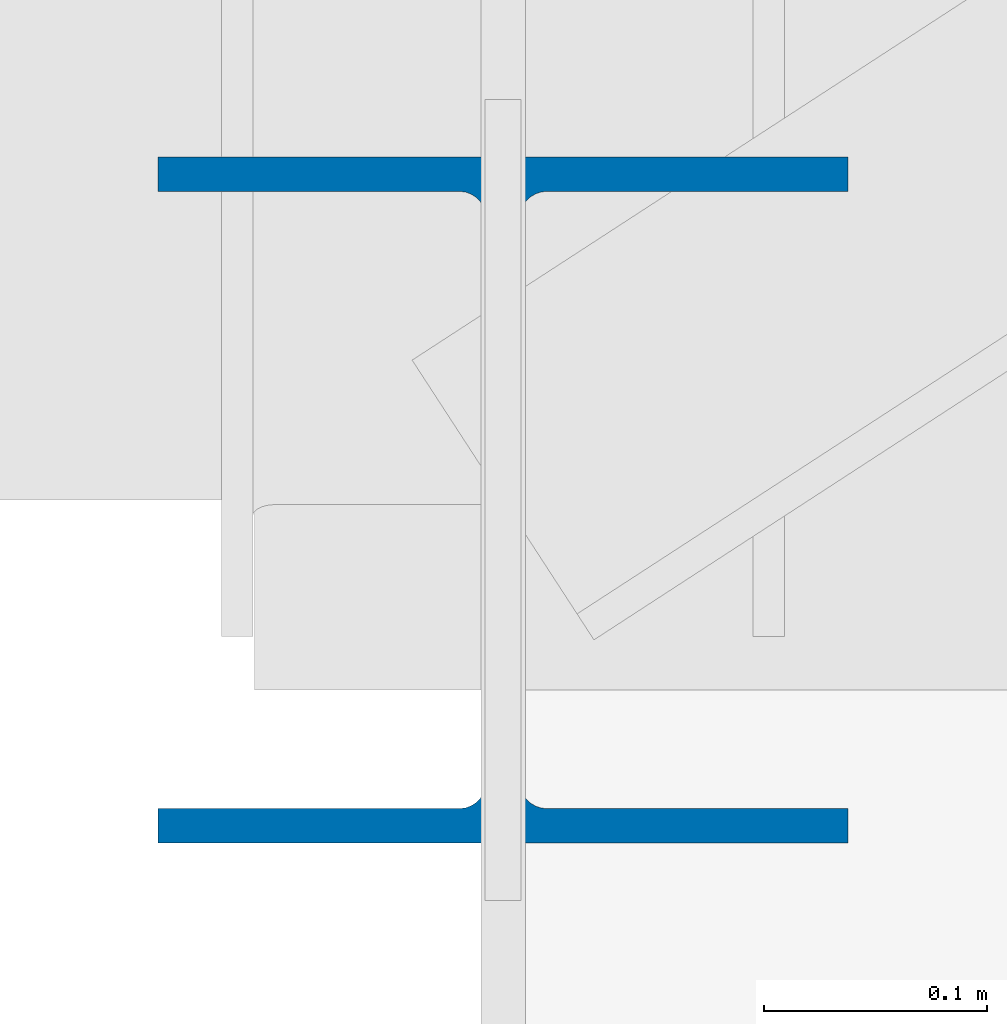
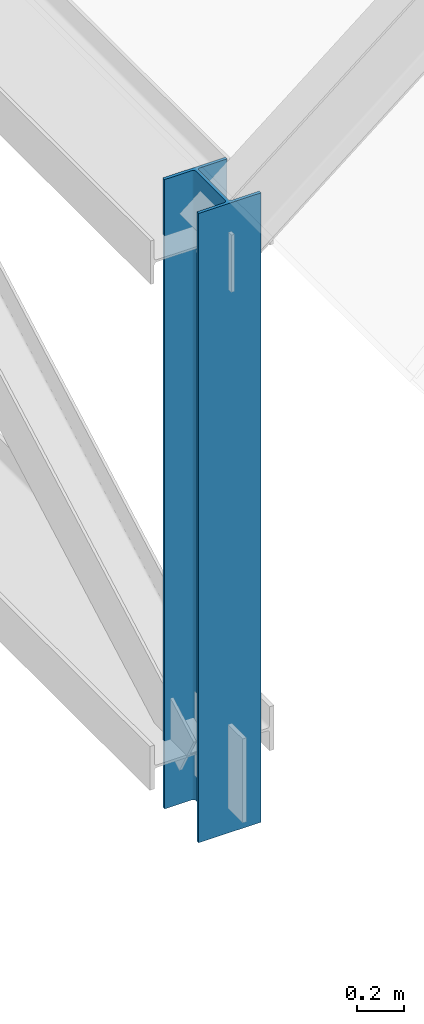
# One storey, part 2 of 101: 1 column.
"""IFC4 building model written with IfcOpenShell, lengths in metres."""

import ifcopenshell
import ifcopenshell.guid

model = None  # the IFC model being written
_history = None  # IfcOwnerHistory: only IFC2X3 demands one
_inside = {}  # id of a spatial element -> (the spatial element, [elements in it])
_under = {}  # id of a project, library or spatial element -> (it, [spatial elements below it])
_declared = {}  # id of a project -> (the project, [libraries it declares])
_typed = {}  # id of a type object -> (the type object, [elements of that type])
_made_of = {}  # id of a material, layer set ... -> (it, [elements and type objects made of it])


def new_model(schema):
    """Start an empty IFC model of exactly this schema.

    Asked for "IFC4X3", IfcOpenShell would pick the latest addendum, in which some entities
    have other attributes; the version numbers below select the first issue.
    IFC2X3 requires an IfcOwnerHistory on every rooted entity: one is made here for all.
    """
    global model, _history
    if schema == "IFC4X3":
        model = ifcopenshell.file(schema_version=(4, 3, 0, 0))
    else:
        model = ifcopenshell.file(schema=schema)
    _inside.clear()
    _under.clear()
    _declared.clear()
    _typed.clear()
    _made_of.clear()
    _history = None
    if model.schema == "IFC2X3":
        org = make("IfcOrganization", Name="unknown")
        user = make(
            "IfcPersonAndOrganization",
            ThePerson=make("IfcPerson", FamilyName="unknown"),
            TheOrganization=org,
        )
        app = make(
            "IfcApplication",
            ApplicationDeveloper=org,
            Version="unknown",
            ApplicationFullName="unknown",
            ApplicationIdentifier="unknown",
        )
        _history = make(
            "IfcOwnerHistory",
            OwningUser=user,
            OwningApplication=app,
            ChangeAction="ADDED",
            CreationDate=0,
        )
    return model


def make(cls, **values):
    """One entity of the class cls with the attributes given. An attribute that is None is left unset."""
    return model.create_entity(
        cls, **{name: value for name, value in values.items() if value is not None}
    )


def rooted(cls, **values):
    """An entity with a GlobalId (a new one), such as an element, a storey or a relation."""
    return make(cls, GlobalId=ifcopenshell.guid.new(), OwnerHistory=_history, **values)


def si_unit(unit_type, name, prefix=None):
    """IfcSIUnit, for example si_unit("LENGTHUNIT", "METRE", prefix="MILLI")."""
    return make("IfcSIUnit", UnitType=unit_type, Prefix=prefix, Name=name)


def assignment(units):
    """IfcUnitAssignment: the units of a project."""
    return None if units is None else make("IfcUnitAssignment", Units=units)


def point(xyz):
    """IfcCartesianPoint."""
    return None if xyz is None else make("IfcCartesianPoint", Coordinates=xyz)


def direction(xyz):
    """IfcDirection."""
    return None if xyz is None else make("IfcDirection", DirectionRatios=xyz)


def frame(location, z_axis=None, x_axis=None):
    """IfcAxis2Placement3D, a coordinate frame: its origin and axes. An axis left out is left unset."""
    return make(
        "IfcAxis2Placement3D",
        Location=point(location),
        Axis=direction(z_axis),
        RefDirection=direction(x_axis),
    )


def frame_2d(location, x_axis=None):
    """IfcAxis2Placement2D, a coordinate frame in the plane: its origin and x axis."""
    return make(
        "IfcAxis2Placement2D", Location=point(location), RefDirection=direction(x_axis)
    )


def origin():
    """The frame at (0, 0, 0) with its axes left unset."""
    return frame((0.0, 0.0, 0.0))


def origin_2d():
    """The frame at (0, 0) in the plane with its x axis left unset."""
    return frame_2d((0.0, 0.0))


def place(relative_to, where):
    """IfcLocalPlacement: puts the frame where relative to a parent placement (None: the world)."""
    return make(
        "IfcLocalPlacement", PlacementRelTo=relative_to, RelativePlacement=where
    )


def context(
    kind, dimensions, precision=None, world=None, true_north=None, identifier=None
):
    """IfcGeometricRepresentationContext, for example the 3D "Model" context."""
    return make(
        "IfcGeometricRepresentationContext",
        ContextIdentifier=identifier,
        ContextType=kind,
        CoordinateSpaceDimension=dimensions,
        Precision=precision,
        WorldCoordinateSystem=world,
        TrueNorth=true_north,
    )


def subcontext(parent, identifier, kind, view, scale=None):
    """IfcGeometricRepresentationSubContext, for example "Body" below "Model"."""
    return make(
        "IfcGeometricRepresentationSubContext",
        ContextIdentifier=identifier,
        ContextType=kind,
        ParentContext=parent,
        TargetScale=scale,
        TargetView=view,
    )


def project(units=None, contexts=None):
    """IfcProject with its units and contexts."""
    return rooted(
        "IfcProject",
        Name="project",
        RepresentationContexts=contexts,
        UnitsInContext=assignment(units),
    )


def spatial(cls, under=None, at=None, **own):
    """A site, building, storey or space (cls), placed at a placement, below another one or the project."""
    s = rooted(cls, ObjectPlacement=at, **own)
    if under is not None:
        _under.setdefault(under.id(), (under, []))[1].append(s)
    return s


def profile(cls, at=None, kind="AREA", **sizes):
    """A parametric profile (cls). Its sizes go by their IFC names, for example OverallWidth=200.0."""
    return make(cls, ProfileType=kind, Position=at, **sizes)


def i_section(**sizes):
    """IfcIShapeProfileDef."""
    return profile("IfcIShapeProfileDef", **sizes)


def extrude(swept, where, along, depth):
    """IfcExtrudedAreaSolid: the profile swept, set in the frame where, extruded along a direction by depth."""
    return make(
        "IfcExtrudedAreaSolid",
        SweptArea=swept,
        Position=where,
        ExtrudedDirection=direction(along),
        Depth=depth,
    )


def shape(context_of_items, identifier, shape_type, items):
    """IfcShapeRepresentation: the items that make up one representation, for example the "Body"."""
    return make(
        "IfcShapeRepresentation",
        ContextOfItems=context_of_items,
        RepresentationIdentifier=identifier,
        RepresentationType=shape_type,
        Items=items,
    )


def material(Name=None, Category=None):
    """IfcMaterial."""
    return make("IfcMaterial", Name=Name, Category=Category)


def material_profile(
    of_material, cross_section, Name=None, Category=None, Priority=None
):
    """IfcMaterialProfile: a cross section and its material."""
    return make(
        "IfcMaterialProfile",
        Name=Name,
        Material=of_material,
        Profile=cross_section,
        Priority=Priority,
        Category=Category,
    )


def profile_set(profiles, Name=None, composite=None):
    """IfcMaterialProfileSet."""
    return make(
        "IfcMaterialProfileSet",
        Name=Name,
        MaterialProfiles=profiles,
        CompositeProfile=composite,
    )


def made_of(thing, what):
    """Note that an element or type object is made of a material, layer set ...; save() writes the relation."""
    if what is not None:
        _made_of.setdefault(what.id(), (what, []))[1].append(thing)
    return thing


def type_object(cls, material=None, **own):
    """A type object (cls), such as IfcWallType, which elements share."""
    return made_of(rooted(cls, **own), material)


def element(
    cls,
    number,
    at=None,
    inside=None,
    cuts=None,
    type_object=None,
    material=None,
    context=None,
    identifier="Body",
    shape_type=None,
    held_by="IfcProductDefinitionShape",
    body=None,
    shapes=None,
    **own,
):
    """One element of the class cls, such as IfcWall. Its Tag is "e" and its number.

    at: its placement. inside: the storey or other place that contains it. cuts: it is an
    opening in that element (IfcRelVoidsElement). A single representation is given by context,
    identifier, shape_type and body (its items); several are given by shapes. held_by: the class
    of the entity that holds the representations. save() writes the other relations.
    """
    e = rooted(cls, Tag="e%d" % number, ObjectPlacement=at, **own)
    if body is not None:
        shapes = [shape(context, identifier, shape_type, body)]
    if shapes is not None:
        e.Representation = make(held_by, Representations=shapes)
    if inside is not None:
        _inside.setdefault(inside.id(), (inside, []))[1].append(e)
    if cuts is not None:
        rooted(
            "IfcRelVoidsElement", RelatingBuildingElement=cuts, RelatedOpeningElement=e
        )
    if type_object is not None:
        _typed.setdefault(type_object.id(), (type_object, []))[1].append(e)
    return made_of(e, material)


def aggregate(whole, parts):
    """IfcRelAggregates: a whole, such as a stair, and the parts it consists of."""
    return rooted("IfcRelAggregates", RelatingObject=whole, RelatedObjects=parts)


def save(model, path):
    """Write the relations noted so far, then the file.

    IfcRelAggregates (storeys below a building ...), IfcRelContainedInSpatialStructure (elements
    in a storey), IfcRelDefinesByType, IfcRelAssociatesMaterial and IfcRelDeclares: one each for
    every whole, place, type object, material and project.
    """
    for whole, parts in _under.values():
        aggregate(whole, parts)
    for where, things in _inside.values():
        rooted(
            "IfcRelContainedInSpatialStructure",
            RelatedElements=things,
            RelatingStructure=where,
        )
    for kind, things in _typed.values():
        rooted("IfcRelDefinesByType", RelatedObjects=things, RelatingType=kind)
    for what, things in _made_of.values():
        rooted("IfcRelAssociatesMaterial", RelatedObjects=things, RelatingMaterial=what)
    for by, libraries in _declared.values():
        rooted("IfcRelDeclares", RelatingContext=by, RelatedDefinitions=libraries)
    model.write(path)


model = new_model("IFC4")

# Units and contexts
model_context = context("Model", 3, precision=1e-05, world=origin(), true_north=direction((0.0, 1.0)))
body_context = subcontext(model_context, "Body", "Model", "MODEL_VIEW")
ifc_project = project(units=[si_unit("LENGTHUNIT", "METRE"), si_unit("AREAUNIT", "SQUARE_METRE"), si_unit("VOLUMEUNIT", "CUBIC_METRE"), si_unit("PLANEANGLEUNIT", "RADIAN"), si_unit("MASSUNIT", "GRAM", prefix="KILO"), si_unit("THERMODYNAMICTEMPERATUREUNIT", "KELVIN")], contexts=[model_context])

# Site, building, storey
site_placement = place(None, origin())
site = spatial("IfcSite", under=ifc_project, at=site_placement, CompositionType="ELEMENT")
building_placement = place(site_placement, origin())
building = spatial("IfcBuilding", under=site, at=building_placement, Name="Thalorik Housing Commons", CompositionType="ELEMENT")
storey_placement = place(building_placement, frame((0.0, 0.0, 8.10009765625)))
storey = spatial("IfcBuildingStorey", under=building, at=storey_placement, Name="L02", CompositionType="ELEMENT", Elevation=8.10009765625)

# Column
ifc_material = material(Name="Steel S355", Category="steel")
ifc_material_profile = material_profile(ifc_material, i_section(OverallWidth=0.31005859375, OverallDepth=0.30810546875, WebThickness=0.015380859375, FlangeThickness=0.015380859375, FilletRadius=0.011962890625, at=origin_2d()), Name="HP310x110", Category="steel")
ifc_profile_set = profile_set([ifc_material_profile], Name="Steel S355")
column_type = type_object("IfcColumnType", Name="STR-COL-HP310", PredefinedType="COLUMN", material=ifc_profile_set)
column_placement = place(storey_placement, frame((66.0, 57.60009765625, 0.0), z_axis=(0.0, 0.0, 1.0), x_axis=(1.0, 0.0, 0.0)))
element("IfcColumn", 1, at=column_placement, inside=storey, type_object=column_type, Name="L02 Hall Sawtooth Bearing Column 1S", PredefinedType="COLUMN", context=body_context, shape_type="SweptSolid", body=[
    extrude(i_section(OverallWidth=0.31005859375, OverallDepth=0.30810546875, WebThickness=0.015380859375, FlangeThickness=0.015380859375, FilletRadius=0.011962890625, at=origin_2d()), origin(), (0.0, 0.0, 1.0), 3.2998046875),
])

save(model, "model.ifc")
